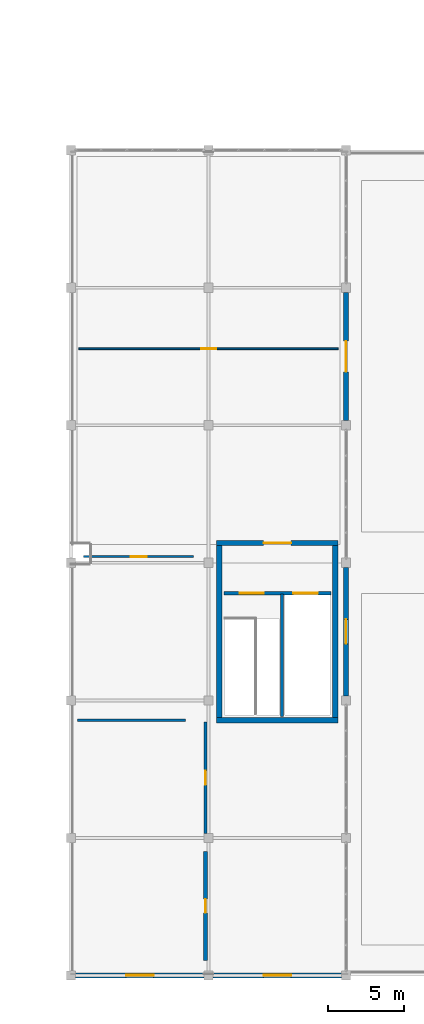
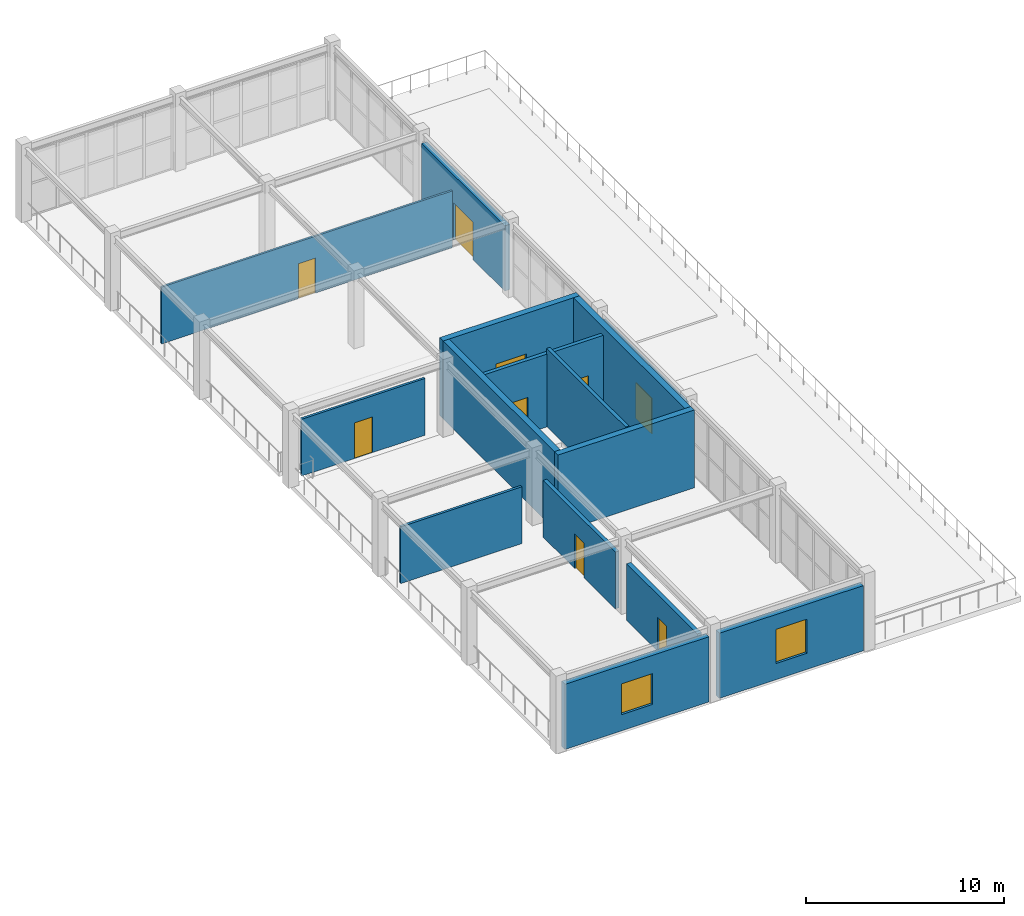
# One storey, part 142 of 167: 15 walls, 9 doors, 2 windows, 11 openings.
"""IFC4 building model written with IfcOpenShell, lengths in metres."""

from ifc_helpers import new_model, si_unit, direction, frame, frame_2d, origin, place, context, subcontext, project, spatial, rectangle, extrude, material, layer, layer_set, type_object, element, fill, save


model = new_model("IFC4")

# Units and contexts
model_context = context("Model", 3, precision=1e-05, world=origin(), true_north=direction((0.0, 1.0)))
body_context = subcontext(model_context, "Body", "Model", "MODEL_VIEW")
ifc_project = project(units=[si_unit("LENGTHUNIT", "METRE"), si_unit("AREAUNIT", "SQUARE_METRE"), si_unit("VOLUMEUNIT", "CUBIC_METRE"), si_unit("PLANEANGLEUNIT", "RADIAN"), si_unit("MASSUNIT", "GRAM", prefix="KILO")], contexts=[model_context])

# Site, building, storey
site_placement = place(None, origin())
site = spatial("IfcSite", under=ifc_project, at=site_placement, CompositionType="ELEMENT")
building_placement = place(site_placement, origin())
building = spatial("IfcBuilding", under=site, at=building_placement, Name="Dornveld Trade and Exhibition Forum", CompositionType="ELEMENT")
storey_placement = place(building_placement, frame((0.0, 0.0, 16.800048828125)))
storey = spatial("IfcBuildingStorey", under=building, at=storey_placement, Name="L03", CompositionType="ELEMENT", Elevation=16.800048828125)

# Wall
ifc_material_1 = material(Name="Concrete C40/50", Category="concrete")
ifc_layer_1 = layer(ifc_material_1, 0.35009765625)
ifc_layer_set_1 = layer_set([ifc_layer_1], Name="Concrete C40/50")
wall_type_1 = type_object("IfcWallType", Name="WL-CORE-350", PredefinedType="SHEAR", material=ifc_layer_set_1)
wall_1_placement = place(storey_placement, frame((207.52490234375, 16.699951171875, 0.0), z_axis=(0.0, 0.0, 1.0), x_axis=(1.0, 0.0, 0.0)))
element("IfcWall", 1, at=wall_1_placement, inside=storey, type_object=wall_type_1, Name="CORE-11 L03 shear wall S", PredefinedType="SHEAR", context=body_context, shape_type="SweptSolid", body=[
    extrude(rectangle(XDim=7.9501953125, YDim=0.35009765625, at=frame_2d((3.97509765625, 0.0))), origin(), (0.0, 0.0, 1.0), 4.800048828125),
])

# Wall, opening, door
wall_2_placement = place(storey_placement, frame((207.52490234375, 28.300048828125, 0.0), z_axis=(0.0, 0.0, 1.0), x_axis=(1.0, 0.0, 0.0)))
wall_2 = element("IfcWall", 2, at=wall_2_placement, inside=storey, type_object=wall_type_1, Name="CORE-11 L03 shear wall N", PredefinedType="SHEAR", context=body_context, shape_type="SweptSolid", body=[
    extrude(rectangle(XDim=7.9501953125, YDim=0.35009765625, at=frame_2d((3.97509765625, 0.0))), origin(), (0.0, 0.0, 1.0), 4.800048828125),
])
opening_1_placement = place(wall_2_placement, frame((3.074951171875, 0.0, 0.0)))
opening_1 = element("IfcOpeningElement", 3, at=opening_1_placement, cuts=wall_2, Name="Opening CD-11-L03", PredefinedType="OPENING", context=body_context, shape_type="SweptSolid", body=[
    extrude(rectangle(XDim=1.800048828125, YDim=2.300048828125, at=frame_2d((0.89990234375, 1.14990234375))), frame((0.0, 0.18505859375, 0.0), z_axis=(0.0, -1.0, 0.0), x_axis=(1.0, 0.0, 0.0)), (0.0, 0.0, 1.0), 0.3701171875),
])
ifc_material_2 = material(Name="Steel fire-rated double door assembly", Category="steel")
door_type_1 = type_object("IfcDoorType", Name="DR-CORE-180x230", OperationType="NOTDEFINED", PredefinedType="DOOR", material=ifc_material_2)
door_1_placement = place(opening_1_placement, origin())
door_1 = element("IfcDoor", 4, at=door_1_placement, inside=storey, type_object=door_type_1, Name="CORE-11 L03 core lobby double fire door", OperationType="DOUBLE_DOOR_SINGLE_SWING", OverallHeight=2.300048828125, OverallWidth=1.800048828125, PredefinedType="DOOR", context=body_context, shape_type="SweptSolid", body=[
    extrude(rectangle(XDim=1.800048828125, YDim=2.300048828125, at=frame_2d((0.89990234375, 1.14990234375))), frame((0.0, 0.02490234375, 0.0), z_axis=(0.0, -1.0, 0.0), x_axis=(1.0, 0.0, 0.0)), (0.0, 0.0, 1.0), 0.050048828125),
])
fill(opening_1, door_1)

# Walls
for number, where, z_axis, x_axis, name in (
    (5, (207.699951171875, 16.875, 0.0), (0.0, 0.0, 1.0), (0.0, 1.0, 0.0), "CORE-11 L03 shear wall W"),
    (6, (215.300048828125, 16.875, 0.0), (0.0, 0.0, 1.0), (0.0, 1.0, 0.0), "CORE-11 L03 shear wall E"),
):
    element("IfcWall", number, at=place(storey_placement, frame(where, z_axis=z_axis, x_axis=x_axis)), inside=storey, type_object=wall_type_1, Name=name, PredefinedType="SHEAR", context=body_context, shape_type="SweptSolid", body=[
        extrude(rectangle(XDim=11.25, YDim=0.35009765625, at=frame_2d((5.625, 0.0))), origin(), (0.0, 0.0, 1.0), 4.800048828125),
    ])

# Wall, opening, door
ifc_material_3 = material(Name="Precast concrete C50/60", Category="concrete")
ifc_layer_2 = layer(ifc_material_3, 0.31005859375)
ifc_layer_set_2 = layer_set([ifc_layer_2], Name="Precast concrete C50/60")
wall_type_2 = type_object("IfcWallType", Name="WL-EXT-PC310", PredefinedType="SOLIDWALL", material=ifc_layer_set_2)
wall_3_placement = place(storey_placement, frame((216.0, 18.299560546875, 0.0), z_axis=(0.0, 0.0, 1.0), x_axis=(0.0, 1.0, 0.0)))
wall_3 = element("IfcWall", 7, at=wall_3_placement, inside=storey, type_object=wall_type_2, Name="L03 precast facade wall 5", PredefinedType="SOLIDWALL", context=body_context, shape_type="SweptSolid", body=[
    extrude(rectangle(XDim=8.40087890625, YDim=0.31005859375, at=frame_2d((4.200439453125, 0.0))), origin(), (0.0, 0.0, 1.0), 4.02001953125),
])
opening_2_placement = place(wall_3_placement, frame((3.400390625, 0.0, 0.0)))
opening_2 = element("IfcOpeningElement", 8, at=opening_2_placement, cuts=wall_3, Name="Opening TD-03", PredefinedType="OPENING", context=body_context, shape_type="SweptSolid", body=[
    extrude(rectangle(XDim=1.60009765625, YDim=2.199951171875, at=frame_2d((0.800048828125, 1.10009765625))), frame((0.0, 0.1650390625, 0.0), z_axis=(0.0, -1.0, 0.0), x_axis=(1.0, 0.0, 0.0)), (0.0, 0.0, 1.0), 0.330078125),
])
ifc_material_4 = material(Name="Dark-bronze anodised aluminium and laminated safety glass", Category="aluminium")
door_type_2 = type_object("IfcDoorType", Name="DR-TER-160x220", OperationType="NOTDEFINED", PredefinedType="DOOR", material=ifc_material_4)
door_2_placement = place(opening_2_placement, frame((1.60009765625, 0.0, 0.0), z_axis=(0.0, 0.0, 1.0), x_axis=(-1.0, 0.0, 0.0)))
door_2 = element("IfcDoor", 9, at=door_2_placement, inside=storey, type_object=door_type_2, Name="L03 terrace access door 3", OperationType="SINGLE_SWING_LEFT", OverallHeight=2.199951171875, OverallWidth=1.60009765625, PredefinedType="DOOR", context=body_context, shape_type="SweptSolid", body=[
    extrude(rectangle(XDim=1.60009765625, YDim=2.199951171875, at=frame_2d((0.800048828125, 1.10009765625))), frame((0.0, 0.02490234375, 0.0), z_axis=(0.0, -1.0, 0.0), x_axis=(1.0, 0.0, 0.0)), (0.0, 0.0, 1.0), 0.050048828125),
])
fill(opening_2, door_2)

wall_4_placement = place(storey_placement, frame((216.0, 36.299560546875, 0.0), z_axis=(0.0, 0.0, 1.0), x_axis=(0.0, 1.0, 0.0)))
wall_4 = element("IfcWall", 10, at=wall_4_placement, inside=storey, type_object=wall_type_2, Name="L03 precast facade wall 6", PredefinedType="SOLIDWALL", context=body_context, shape_type="SweptSolid", body=[
    extrude(rectangle(XDim=8.40087890625, YDim=0.31005859375, at=frame_2d((4.200439453125, 0.0))), origin(), (0.0, 0.0, 1.0), 4.02001953125),
])
opening_3_placement = place(wall_4_placement, frame((3.200439453125, 0.0, 0.0)))
opening_3 = element("IfcOpeningElement", 11, at=opening_3_placement, cuts=wall_4, Name="Opening TD-04", PredefinedType="OPENING", context=body_context, shape_type="SweptSolid", body=[
    extrude(rectangle(XDim=2.0, YDim=2.300048828125, at=frame_2d((1.0, 1.14990234375))), frame((0.0, 0.1650390625, 0.0), z_axis=(0.0, -1.0, 0.0), x_axis=(1.0, 0.0, 0.0)), (0.0, 0.0, 1.0), 0.330078125),
])
ifc_material_5 = material(Name="Dark-bronze anodised aluminium and laminated safety glass", Category="aluminium")
door_type_3 = type_object("IfcDoorType", Name="DR-TER-200x230", OperationType="NOTDEFINED", PredefinedType="DOOR", material=ifc_material_5)
door_3_placement = place(opening_3_placement, frame((2.0, 0.0, 0.0), z_axis=(0.0, 0.0, 1.0), x_axis=(-1.0, 0.0, 0.0)))
door_3 = element("IfcDoor", 12, at=door_3_placement, inside=storey, type_object=door_type_3, Name="L03 terrace access door 4", OperationType="SINGLE_SWING_RIGHT", OverallHeight=2.300048828125, OverallWidth=2.0, PredefinedType="DOOR", context=body_context, shape_type="SweptSolid", body=[
    extrude(rectangle(XDim=2.0, YDim=2.300048828125, at=frame_2d((1.0, 1.14990234375))), frame((0.0, 0.02490234375, 0.0), z_axis=(0.0, -1.0, 0.0), x_axis=(1.0, 0.0, 0.0)), (0.0, 0.0, 1.0), 0.050048828125),
])
fill(opening_3, door_3)

# Wall, opening, window
ifc_material_6 = material(Name="Precast concrete C50/60", Category="concrete")
ifc_layer_3 = layer(ifc_material_6, 0.340087890625)
ifc_layer_set_3 = layer_set([ifc_layer_3], Name="Precast concrete C50/60")
wall_type_3 = type_object("IfcWallType", Name="WL-EXT-PC340", PredefinedType="SOLIDWALL", material=ifc_layer_set_3)
wall_5_placement = place(storey_placement, frame((198.299560546875, 0.0, 0.0), z_axis=(0.0, 0.0, 1.0), x_axis=(1.0, 0.0, 0.0)))
wall_5 = element("IfcWall", 13, at=wall_5_placement, inside=storey, type_object=wall_type_3, Name="L03 precast facade wall 107", PredefinedType="SOLIDWALL", context=body_context, shape_type="SweptSolid", body=[
    extrude(rectangle(XDim=8.40087890625, YDim=0.340087890625, at=frame_2d((4.200439453125, 0.0))), origin(), (0.0, 0.0, 1.0), 4.02001953125),
])
opening_4_placement = place(wall_5_placement, frame((3.300537109375, 0.0, 1.0)))
opening_4 = element("IfcOpeningElement", 14, at=opening_4_placement, cuts=wall_5, Name="Opening W-19", PredefinedType="OPENING", context=body_context, shape_type="SweptSolid", body=[
    extrude(rectangle(XDim=1.800048828125, YDim=1.89990234375, at=frame_2d((0.89990234375, 0.949951171875))), frame((0.0, 0.179931640625, 0.0), z_axis=(0.0, -1.0, 0.0), x_axis=(1.0, 0.0, 0.0)), (0.0, 0.0, 1.0), 0.360107421875),
])
ifc_material_7 = material(Name="Dark-bronze anodised aluminium and low-E glass", Category="aluminium")
window_type_1 = type_object("IfcWindowType", Name="WIN-AL-19", PartitioningType="SINGLE_PANEL", PredefinedType="WINDOW", material=ifc_material_7)
window_1_placement = place(opening_4_placement, origin())
window_1 = element("IfcWindow", 15, at=window_1_placement, inside=storey, type_object=window_type_1, Name="L03 facade window 82", OverallHeight=1.89990234375, OverallWidth=1.800048828125, PartitioningType="SINGLE_PANEL", PredefinedType="WINDOW", context=body_context, shape_type="SweptSolid", body=[
    extrude(rectangle(XDim=1.800048828125, YDim=1.89990234375, at=frame_2d((0.89990234375, 0.949951171875))), frame((0.0, 0.030029296875, 0.0), z_axis=(0.0, -1.0, 0.0), x_axis=(1.0, 0.0, 0.0)), (0.0, 0.0, 1.0), 0.06005859375),
])
fill(opening_4, window_1)

wall_6_placement = place(storey_placement, frame((207.299560546875, 0.0, 0.0), z_axis=(0.0, 0.0, 1.0), x_axis=(1.0, 0.0, 0.0)))
wall_6 = element("IfcWall", 16, at=wall_6_placement, inside=storey, type_object=wall_type_3, Name="L03 precast facade wall 108", PredefinedType="SOLIDWALL", context=body_context, shape_type="SweptSolid", body=[
    extrude(rectangle(XDim=8.40087890625, YDim=0.340087890625, at=frame_2d((4.200439453125, 0.0))), origin(), (0.0, 0.0, 1.0), 4.02001953125),
])
opening_5_placement = place(wall_6_placement, frame((3.300537109375, 0.0, 1.0)))
opening_5 = element("IfcOpeningElement", 17, at=opening_5_placement, cuts=wall_6, Name="Opening W-20", PredefinedType="OPENING", context=body_context, shape_type="SweptSolid", body=[
    extrude(rectangle(XDim=1.800048828125, YDim=2.10009765625, at=frame_2d((0.89990234375, 1.050048828125))), frame((0.0, 0.179931640625, 0.0), z_axis=(0.0, -1.0, 0.0), x_axis=(1.0, 0.0, 0.0)), (0.0, 0.0, 1.0), 0.360107421875),
])
ifc_material_8 = material(Name="Dark-bronze anodised aluminium and low-E glass", Category="aluminium")
window_type_2 = type_object("IfcWindowType", Name="WIN-AL-20", PartitioningType="SINGLE_PANEL", PredefinedType="WINDOW", material=ifc_material_8)
window_2_placement = place(opening_5_placement, origin())
window_2 = element("IfcWindow", 18, at=window_2_placement, inside=storey, type_object=window_type_2, Name="L03 facade window 83", OverallHeight=2.10009765625, OverallWidth=1.800048828125, PartitioningType="SINGLE_PANEL", PredefinedType="WINDOW", context=body_context, shape_type="SweptSolid", body=[
    extrude(rectangle(XDim=1.800048828125, YDim=2.10009765625, at=frame_2d((0.89990234375, 1.050048828125))), frame((0.0, 0.030029296875, 0.0), z_axis=(0.0, -1.0, 0.0), x_axis=(1.0, 0.0, 0.0)), (0.0, 0.0, 1.0), 0.06005859375),
])
fill(opening_5, window_2)

# Wall, opening, door
ifc_material_9 = material(Name="Acoustic twin-stud gypsum and mineral wool", Category="gypsum")
ifc_layer_4 = layer(ifc_material_9, 0.215087890625)
ifc_layer_set_4 = layer_set([ifc_layer_4], Name="Acoustic twin-stud gypsum and mineral wool")
wall_type_4 = type_object("IfcWallType", Name="WL-INT-AC215", PredefinedType="PARTITIONING", material=ifc_layer_set_4)
wall_7_placement = place(storey_placement, frame((206.800048828125, 9.280029296875, 0.0), z_axis=(0.0, 0.0, 1.0), x_axis=(0.0, 1.0, 0.0)))
wall_7 = element("IfcWall", 19, at=wall_7_placement, inside=storey, type_object=wall_type_4, Name="L03 interior partition 76", PredefinedType="PARTITIONING", context=body_context, shape_type="SweptSolid", body=[
    extrude(rectangle(XDim=7.300048828125, YDim=0.215087890625, at=frame_2d((3.64990234375, 0.0))), origin(), (0.0, 0.0, 1.0), 3.5),
])
opening_6_placement = place(wall_7_placement, frame((3.18994140625, 0.0, 0.0)))
opening_6 = element("IfcOpeningElement", 20, at=opening_6_placement, cuts=wall_7, Name="Opening WD-03-047", PredefinedType="OPENING", context=body_context, shape_type="SweptSolid", body=[
    extrude(rectangle(XDim=0.919921875, YDim=2.1201171875, at=frame_2d((0.4599609375, 1.06005859375))), frame((0.0, 0.117431640625, 0.0), z_axis=(0.0, -1.0, 0.0), x_axis=(1.0, 0.0, 0.0)), (0.0, 0.0, 1.0), 0.235107421875),
])
ifc_material_10 = material(Name="Laminate sanitary lobby door", Category="wood")
door_type_4 = type_object("IfcDoorType", Name="DR-WC-092x212", OperationType="NOTDEFINED", PredefinedType="DOOR", material=ifc_material_10)
door_4_placement = place(opening_6_placement, origin())
door_4 = element("IfcDoor", 21, at=door_4_placement, inside=storey, type_object=door_type_4, Name="L03 interior room door 47", OperationType="SINGLE_SWING_LEFT", OverallHeight=2.1201171875, OverallWidth=0.919921875, PredefinedType="DOOR", context=body_context, shape_type="SweptSolid", body=[
    extrude(rectangle(XDim=0.919921875, YDim=2.1201171875, at=frame_2d((0.4599609375, 1.06005859375))), frame((0.0, 0.02490234375, 0.0), z_axis=(0.0, -1.0, 0.0), x_axis=(1.0, 0.0, 0.0)), (0.0, 0.0, 1.0), 0.050048828125),
])
fill(opening_6, door_4)

ifc_material_11 = material(Name="Acoustic twin-stud gypsum and mineral wool", Category="gypsum")
ifc_layer_5 = layer(ifc_material_11, 0.25)
ifc_layer_set_5 = layer_set([ifc_layer_5], Name="Acoustic twin-stud gypsum and mineral wool")
wall_type_5 = type_object("IfcWallType", Name="WL-INT-AC250", PredefinedType="PARTITIONING", material=ifc_layer_set_5)
wall_8_placement = place(storey_placement, frame((206.800048828125, 0.97998046875, 0.0), z_axis=(0.0, 0.0, 1.0), x_axis=(0.0, 1.0, 0.0)))
wall_8 = element("IfcWall", 22, at=wall_8_placement, inside=storey, type_object=wall_type_5, Name="L03 interior partition 75", PredefinedType="PARTITIONING", context=body_context, shape_type="SweptSolid", body=[
    extrude(rectangle(XDim=7.14013671875, YDim=0.25, at=frame_2d((3.570068359375, 0.0))), origin(), (0.0, 0.0, 1.0), 3.5),
])
opening_7_placement = place(wall_8_placement, frame((3.1201171875, 0.0, 0.0)))
opening_7 = element("IfcOpeningElement", 23, at=opening_7_placement, cuts=wall_8, Name="Opening WD-04-046", PredefinedType="OPENING", context=body_context, shape_type="SweptSolid", body=[
    extrude(rectangle(XDim=0.89990234375, YDim=2.10009765625, at=frame_2d((0.449951171875, 1.050048828125))), frame((0.0, 0.135009765625, 0.0), z_axis=(0.0, -1.0, 0.0), x_axis=(1.0, 0.0, 0.0)), (0.0, 0.0, 1.0), 0.27001953125),
])
ifc_material_12 = material(Name="Laminate sanitary door", Category="wood")
door_type_5 = type_object("IfcDoorType", Name="DR-WC-090x210", OperationType="NOTDEFINED", PredefinedType="DOOR", material=ifc_material_12)
door_5_placement = place(opening_7_placement, origin())
door_5 = element("IfcDoor", 24, at=door_5_placement, inside=storey, type_object=door_type_5, Name="L03 interior room door 46", OperationType="SINGLE_SWING_RIGHT", OverallHeight=2.10009765625, OverallWidth=0.89990234375, PredefinedType="DOOR", context=body_context, shape_type="SweptSolid", body=[
    extrude(rectangle(XDim=0.89990234375, YDim=2.10009765625, at=frame_2d((0.449951171875, 1.050048828125))), frame((0.0, 0.02490234375, 0.0), z_axis=(0.0, -1.0, 0.0), x_axis=(1.0, 0.0, 0.0)), (0.0, 0.0, 1.0), 0.050048828125),
])
fill(opening_7, door_5)

# Wall, openings, doors
ifc_material_13 = material(Name="Concrete C40/50", Category="concrete")
ifc_layer_6 = layer(ifc_material_13, 0.219970703125)
ifc_layer_set_6 = layer_set([ifc_layer_6], Name="Concrete C40/50")
wall_type_6 = type_object("IfcWallType", Name="WL-INT-LOB220", PredefinedType="SOLIDWALL", material=ifc_layer_set_6)
wall_9_placement = place(storey_placement, frame((208.0, 25.0, 0.0), z_axis=(0.0, 0.0, 1.0), x_axis=(1.0, 0.0, 0.0)))
wall_9 = element("IfcWall", 25, at=wall_9_placement, inside=storey, type_object=wall_type_6, Name="CORE-11 L03 protected lobby bulkhead wall", PredefinedType="SOLIDWALL", context=body_context, shape_type="SweptSolid", body=[
    extrude(rectangle(XDim=7.0, YDim=0.219970703125, at=frame_2d((3.5, 0.0))), origin(), (0.0, 0.0, 1.0), 4.489990234375),
])
opening_8_placement = place(wall_9_placement, frame((1.050048828125, 0.0, 0.0)))
opening_8 = element("IfcOpeningElement", 26, at=opening_8_placement, cuts=wall_9, Name="Opening SD-11-L03", PredefinedType="OPENING", context=body_context, shape_type="SweptSolid", body=[
    extrude(rectangle(XDim=1.550048828125, YDim=2.199951171875, at=frame_2d((0.77490234375, 1.10009765625))), frame((0.0, 0.119873046875, 0.0), z_axis=(0.0, -1.0, 0.0), x_axis=(1.0, 0.0, 0.0)), (0.0, 0.0, 1.0), 0.239990234375),
])
opening_9_placement = place(wall_9_placement, frame((4.550048828125, 0.0, 0.0)))
opening_9 = element("IfcOpeningElement", 27, at=opening_9_placement, cuts=wall_9, Name="Opening LD-11-L03", PredefinedType="OPENING", context=body_context, shape_type="SweptSolid", body=[
    extrude(rectangle(XDim=1.60009765625, YDim=2.300048828125, at=frame_2d((0.800048828125, 1.14990234375))), frame((0.0, 0.119873046875, 0.0), z_axis=(0.0, -1.0, 0.0), x_axis=(1.0, 0.0, 0.0)), (0.0, 0.0, 1.0), 0.239990234375),
])
ifc_material_14 = material(Name="Heavy-duty steel sliding freight lift landing door", Category="steel")
door_type_6 = type_object("IfcDoorType", Name="DR-LIFT-160x230", OperationType="NOTDEFINED", PredefinedType="DOOR", material=ifc_material_14)
door_6_placement = place(opening_9_placement, origin())
door_6 = element("IfcDoor", 28, at=door_6_placement, inside=storey, type_object=door_type_6, Name="CORE-11 L03 lift sliding landing door", OperationType="SLIDING_TO_LEFT", OverallHeight=2.300048828125, OverallWidth=1.60009765625, PredefinedType="DOOR", context=body_context, shape_type="SweptSolid", body=[
    extrude(rectangle(XDim=1.60009765625, YDim=2.300048828125, at=frame_2d((0.800048828125, 1.14990234375))), frame((0.0, 0.02490234375, 0.0), z_axis=(0.0, -1.0, 0.0), x_axis=(1.0, 0.0, 0.0)), (0.0, 0.0, 1.0), 0.050048828125),
])
fill(opening_9, door_6)
ifc_material_15 = material(Name="Steel fire-rated stair door assembly", Category="steel")
door_type_7 = type_object("IfcDoorType", Name="DR-STAIR-155x220", OperationType="NOTDEFINED", PredefinedType="DOOR", material=ifc_material_15)
door_7_placement = place(opening_8_placement, origin())
door_7 = element("IfcDoor", 29, at=door_7_placement, inside=storey, type_object=door_type_7, Name="CORE-11 L03 protected stair door", OperationType="SINGLE_SWING_LEFT", OverallHeight=2.199951171875, OverallWidth=1.550048828125, PredefinedType="DOOR", context=body_context, shape_type="SweptSolid", body=[
    extrude(rectangle(XDim=1.550048828125, YDim=2.199951171875, at=frame_2d((0.77490234375, 1.10009765625))), frame((0.0, 0.02490234375, 0.0), z_axis=(0.0, -1.0, 0.0), x_axis=(1.0, 0.0, 0.0)), (0.0, 0.0, 1.0), 0.050048828125),
])
fill(opening_8, door_7)

# Wall
ifc_material_16 = material(Name="Concrete C40/50", Category="concrete")
ifc_layer_7 = layer(ifc_material_16, 0.199951171875)
ifc_layer_set_7 = layer_set([ifc_layer_7], Name="Concrete C40/50")
wall_type_7 = type_object("IfcWallType", Name="WL-INT-SHAFT200", PredefinedType="SOLIDWALL", material=ifc_layer_set_7)
wall_10_placement = place(storey_placement, frame((211.820068359375, 16.949951171875, 0.0), z_axis=(0.0, 0.0, 1.0), x_axis=(0.0, 1.0, 0.0)))
element("IfcWall", 30, at=wall_10_placement, inside=storey, type_object=wall_type_7, Name="CORE-11 L03 lift-stair structural shaft wall", PredefinedType="SOLIDWALL", context=body_context, shape_type="SweptSolid", body=[
    extrude(rectangle(XDim=8.0, YDim=0.199951171875, at=frame_2d((4.0, 0.0))), origin(), (0.0, 0.0, 1.0), 4.800048828125),
])

# Wall, opening, door
ifc_material_17 = material(Name="Steel-stud gypsum partition", Category="steel")
ifc_layer_8 = layer(ifc_material_17, 0.135009765625)
ifc_layer_set_8 = layer_set([ifc_layer_8], Name="Steel-stud gypsum partition")
wall_type_8 = type_object("IfcWallType", Name="WL-INT-ST135", PredefinedType="PARTITIONING", material=ifc_layer_set_8)
wall_11_placement = place(storey_placement, frame((198.820068359375, 27.39990234375, 0.0), z_axis=(0.0, 0.0, 1.0), x_axis=(1.0, 0.0, 0.0)))
wall_11 = element("IfcWall", 31, at=wall_11_placement, inside=storey, type_object=wall_type_8, Name="L03 interior partition 93", PredefinedType="PARTITIONING", context=body_context, shape_type="SweptSolid", body=[
    extrude(rectangle(XDim=7.199951171875, YDim=0.135009765625, at=frame_2d((3.60009765625, 0.0))), origin(), (0.0, 0.0, 1.0), 3.5),
])
opening_10_placement = place(wall_11_placement, frame((3.074951171875, 0.0, 0.0)))
opening_10 = element("IfcOpeningElement", 32, at=opening_10_placement, cuts=wall_11, Name="Opening OD-03-059", PredefinedType="OPENING", context=body_context, shape_type="SweptSolid", body=[
    extrude(rectangle(XDim=1.050048828125, YDim=2.199951171875, at=frame_2d((0.52490234375, 1.10009765625))), frame((0.0, 0.077392578125, 0.0), z_axis=(0.0, -1.0, 0.0), x_axis=(1.0, 0.0, 0.0)), (0.0, 0.0, 1.0), 0.155029296875),
])
ifc_material_18 = material(Name="Solid-core hardwood office door", Category="wood")
door_type_8 = type_object("IfcDoorType", Name="DR-OFF-105x220", OperationType="NOTDEFINED", PredefinedType="DOOR", material=ifc_material_18)
door_8_placement = place(opening_10_placement, origin())
door_8 = element("IfcDoor", 33, at=door_8_placement, inside=storey, type_object=door_type_8, Name="L03 interior room door 59", OperationType="SINGLE_SWING_LEFT", OverallHeight=2.199951171875, OverallWidth=1.050048828125, PredefinedType="DOOR", context=body_context, shape_type="SweptSolid", body=[
    extrude(rectangle(XDim=1.050048828125, YDim=2.199951171875, at=frame_2d((0.52490234375, 1.10009765625))), frame((0.0, 0.02490234375, 0.0), z_axis=(0.0, -1.0, 0.0), x_axis=(1.0, 0.0, 0.0)), (0.0, 0.0, 1.0), 0.050048828125),
])
fill(opening_10, door_8)

# Wall
ifc_material_19 = material(Name="Steel-stud gypsum partition", Category="steel")
ifc_layer_9 = layer(ifc_material_19, 0.14501953125)
ifc_layer_set_9 = layer_set([ifc_layer_9], Name="Steel-stud gypsum partition")
wall_type_9 = type_object("IfcWallType", Name="WL-INT-ST145", PredefinedType="PARTITIONING", material=ifc_layer_set_9)
wall_12_placement = place(storey_placement, frame((198.419921875, 16.699951171875, 0.0), z_axis=(0.0, 0.0, 1.0), x_axis=(1.0, 0.0, 0.0)))
element("IfcWall", 34, at=wall_12_placement, inside=storey, type_object=wall_type_9, Name="L03 interior partition 8", PredefinedType="PARTITIONING", context=body_context, shape_type="SweptSolid", body=[
    extrude(rectangle(XDim=7.06005859375, YDim=0.14501953125, at=frame_2d((3.530029296875, 0.0))), origin(), (0.0, 0.0, 1.0), 3.5),
])

# Wall, opening, door
ifc_material_20 = material(Name="Moisture-resistant wet-room partition", Category="gypsum")
ifc_layer_10 = layer(ifc_material_20, 0.114990234375)
ifc_layer_set_10 = layer_set([ifc_layer_10], Name="Moisture-resistant wet-room partition")
wall_type_10 = type_object("IfcWallType", Name="WL-INT-WC115", PredefinedType="PARTITIONING", material=ifc_layer_set_10)
wall_13_placement = place(storey_placement, frame((198.52001953125, 41.0, 0.0), z_axis=(0.0, 0.0, 1.0), x_axis=(1.0, 0.0, 0.0)))
wall_13 = element("IfcWall", 35, at=wall_13_placement, inside=storey, type_object=wall_type_10, Name="L03 interior partition 71", PredefinedType="PARTITIONING", context=body_context, shape_type="SweptSolid", body=[
    extrude(rectangle(XDim=16.9599609375, YDim=0.114990234375, at=frame_2d((8.47998046875, 0.0))), origin(), (0.0, 0.0, 1.0), 3.5),
])
opening_11_placement = place(wall_13_placement, frame((7.989990234375, 0.0, 0.0)))
opening_11 = element("IfcOpeningElement", 36, at=opening_11_placement, cuts=wall_13, Name="Opening OD-05-045", PredefinedType="OPENING", context=body_context, shape_type="SweptSolid", body=[
    extrude(rectangle(XDim=0.97998046875, YDim=2.14990234375, at=frame_2d((0.489990234375, 1.074951171875))), frame((0.0, 0.0673828125, 0.0), z_axis=(0.0, -1.0, 0.0), x_axis=(1.0, 0.0, 0.0)), (0.0, 0.0, 1.0), 0.135009765625),
])
ifc_material_21 = material(Name="Solid-core hardwood office door", Category="wood")
door_type_9 = type_object("IfcDoorType", Name="DR-OFF-098x215", OperationType="NOTDEFINED", PredefinedType="DOOR", material=ifc_material_21)
door_9_placement = place(opening_11_placement, origin())
door_9 = element("IfcDoor", 37, at=door_9_placement, inside=storey, type_object=door_type_9, Name="L03 interior room door 45", OperationType="SINGLE_SWING_LEFT", OverallHeight=2.14990234375, OverallWidth=0.97998046875, PredefinedType="DOOR", context=body_context, shape_type="SweptSolid", body=[
    extrude(rectangle(XDim=0.97998046875, YDim=2.14990234375, at=frame_2d((0.489990234375, 1.074951171875))), frame((0.0, 0.02490234375, 0.0), z_axis=(0.0, -1.0, 0.0), x_axis=(1.0, 0.0, 0.0)), (0.0, 0.0, 1.0), 0.050048828125),
])
fill(opening_11, door_9)

save(model, "model.ifc")
